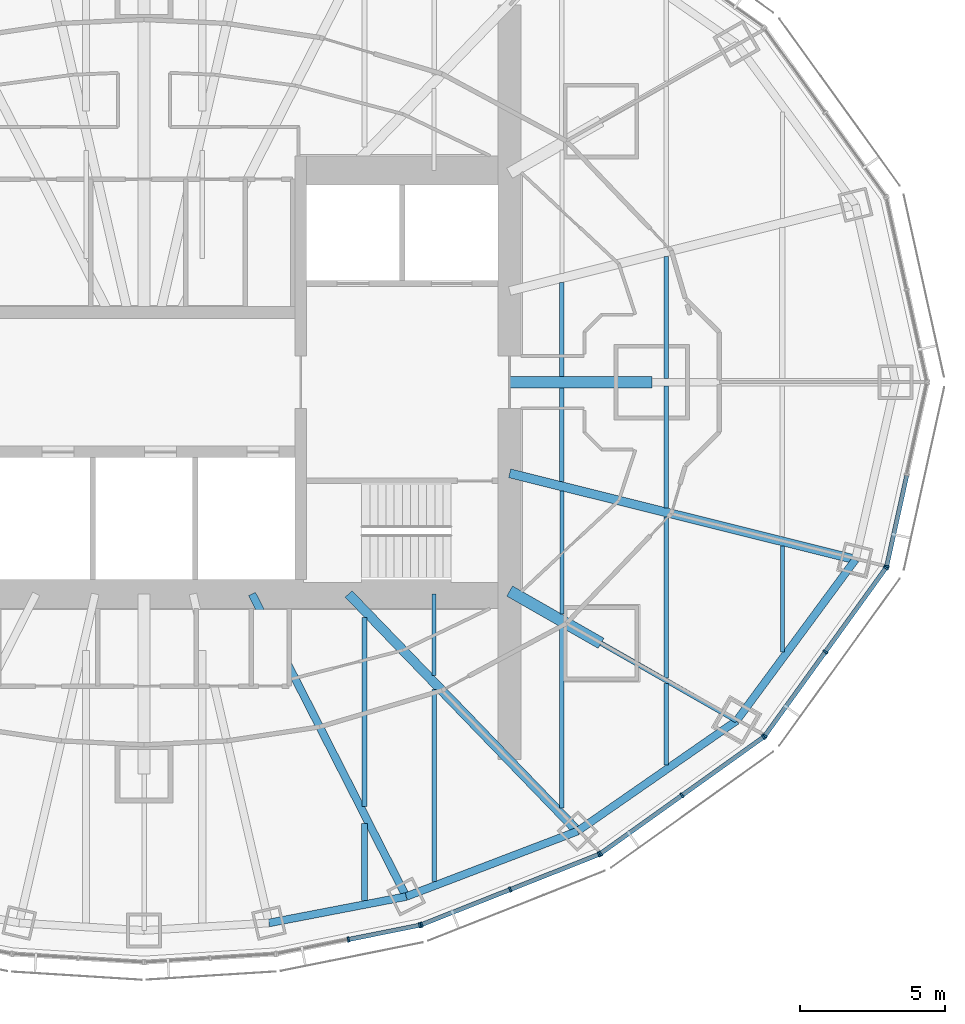
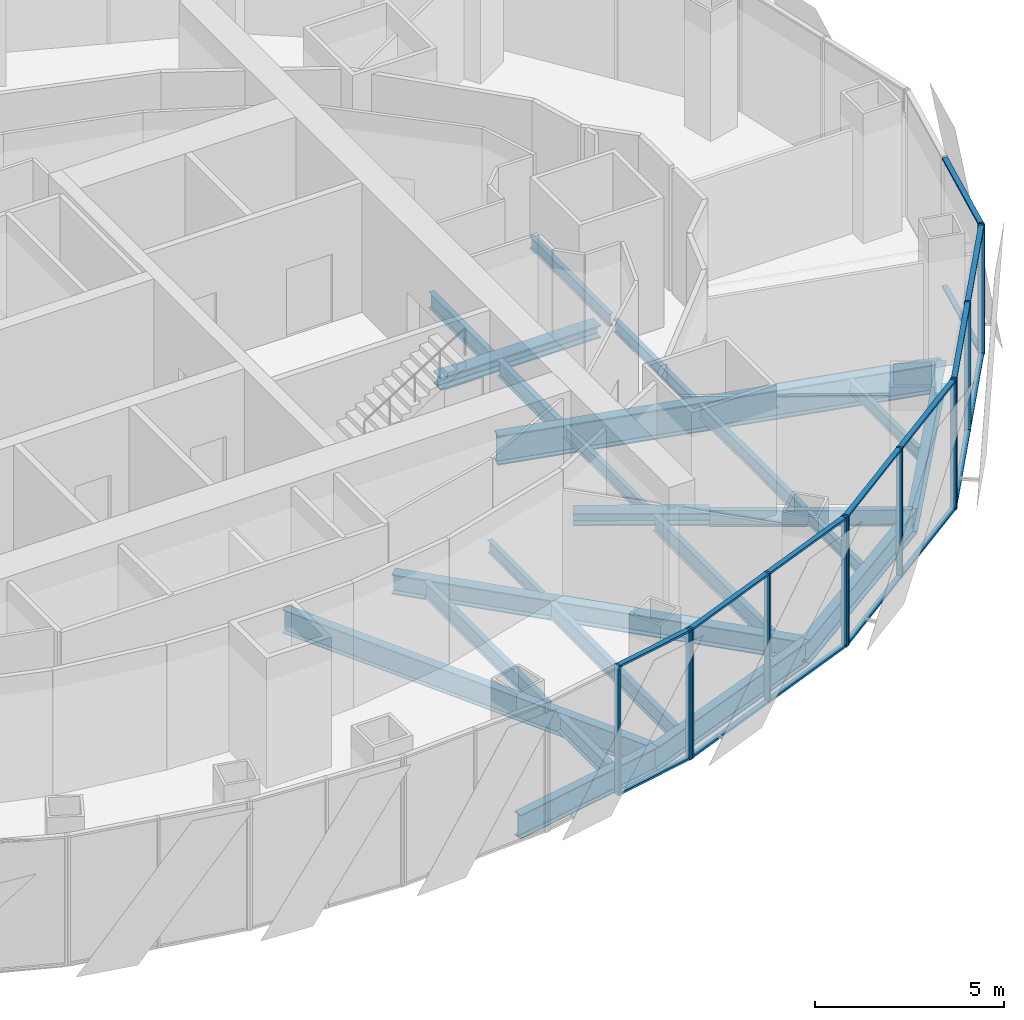
# One storey, part 6 of 17: 28 members, 23 beams, 5 elements without a shape of their own.
"""IFC4 building model written with IfcOpenShell, lengths in metres."""

from ifc_helpers import new_model, si_unit, direction, frame, origin, origin_2d, place, context, subcontext, project, spatial, rectangle, i_section, extrude, material, material_profile, profile_set, type_object, element, aggregate, save


model = new_model("IFC4")

# Units and contexts
model_context = context("Model", 3, precision=1e-05, world=origin(), true_north=direction((0.0, 1.0)))
body_context = subcontext(model_context, "Body", "Model", "MODEL_VIEW")
ifc_project = project(units=[si_unit("LENGTHUNIT", "METRE"), si_unit("AREAUNIT", "SQUARE_METRE"), si_unit("VOLUMEUNIT", "CUBIC_METRE"), si_unit("PLANEANGLEUNIT", "RADIAN"), si_unit("MASSUNIT", "GRAM", prefix="KILO")], contexts=[model_context])

# Site, building, storey
site_placement = place(None, origin())
site = spatial("IfcSite", under=ifc_project, at=site_placement, CompositionType="ELEMENT")
building_placement = place(site_placement, origin())
building = spatial("IfcBuilding", under=site, at=building_placement, Name="Lantaw Convention Tower", CompositionType="ELEMENT")
storey_placement = place(building_placement, frame((0.0, 0.0, 207.39990234375)))
storey = spatial("IfcBuildingStorey", under=building, at=storey_placement, Name="L48", CompositionType="ELEMENT", Elevation=207.39990234375)

# Beams
ifc_material_1 = material(Name="Steel ASTM A992", Category="steel")
ifc_material_profile_1 = material_profile(ifc_material_1, i_section(OverallWidth=0.2666015625, OverallDepth=0.76953125, WebThickness=0.015625, FlangeThickness=0.025390625, FilletRadius=0.0126953125, at=origin_2d()), Name="W30X132")
ifc_profile_set_1 = profile_set([ifc_material_profile_1], Name="Steel ASTM A992")
beam_type_1 = type_object("IfcBeamType", Name="Beam E W30X132", PredefinedType="SPANDREL", material=ifc_profile_set_1)
beam_1_placement = place(storey_placement, frame((4.303955078125, -18.64208984375, -0.53466796875), z_axis=(0.981972091702, 0.189025953556, 0.0), x_axis=(-0.189025953556, 0.981972091702, 0.0)))
element("IfcBeam", 1, at=beam_1_placement, inside=storey, type_object=beam_type_1, Name="Edge beam 20", PredefinedType="SPANDREL", context=body_context, shape_type="SweptSolid", body=[
    extrude(i_section(OverallWidth=0.2666015625, OverallDepth=0.76953125, WebThickness=0.015625, FlangeThickness=0.025390625, FilletRadius=0.0126953125, at=origin_2d()), origin(), (0.0, 0.0, 1.0), 4.817626953125),
])
beam_2_placement = place(storey_placement, frame((9.03466796875, -17.7314453125, -0.53466796875), z_axis=(0.934234988, 0.356658081637, 0.0), x_axis=(-0.356658081637, 0.934234988, 0.0)))
element("IfcBeam", 2, at=beam_2_placement, inside=storey, type_object=beam_type_1, Name="Edge beam 21", PredefinedType="SPANDREL", context=body_context, shape_type="SweptSolid", body=[
    extrude(i_section(OverallWidth=0.2666015625, OverallDepth=0.76953125, WebThickness=0.015625, FlangeThickness=0.025390625, FilletRadius=0.0126953125, at=origin_2d()), origin(), (0.0, 0.0, 1.0), 6.32568359375),
])
beam_3_placement = place(storey_placement, frame((14.9443359375, -15.475341796875, -0.53466796875), z_axis=(0.82135329406, 0.570419815869, 0.0), x_axis=(-0.570419815869, 0.82135329406, 0.0)))
element("IfcBeam", 3, at=beam_3_placement, inside=storey, type_object=beam_type_1, Name="Edge beam 22", PredefinedType="SPANDREL", context=body_context, shape_type="SweptSolid", body=[
    extrude(i_section(OverallWidth=0.2666015625, OverallDepth=0.76953125, WebThickness=0.015625, FlangeThickness=0.025390625, FilletRadius=0.0126953125, at=origin_2d()), origin(), (0.0, 0.0, 1.0), 6.67041015625),
])
beam_4_placement = place(storey_placement, frame((20.423095703125, -11.67041015625, -0.53466796875), z_axis=(0.593639188853, 0.804731329984, 0.0), x_axis=(-0.804731329984, 0.593639188853, 0.0)))
element("IfcBeam", 4, at=beam_4_placement, inside=storey, type_object=beam_type_1, Name="Edge beam 23", PredefinedType="SPANDREL", context=body_context, shape_type="SweptSolid", body=[
    extrude(i_section(OverallWidth=0.2666015625, OverallDepth=0.76953125, WebThickness=0.015625, FlangeThickness=0.025390625, FilletRadius=0.0126953125, at=origin_2d()), origin(), (0.0, 0.0, 1.0), 6.904541015625),
])
ifc_material_profile_2 = material_profile(ifc_material_1, i_section(OverallWidth=0.165771484375, OverallDepth=0.5283203125, WebThickness=0.009765625, FlangeThickness=0.013671875, FilletRadius=0.012939453125, at=origin_2d()), Name="W21X50")
ifc_profile_set_2 = profile_set([ifc_material_profile_2], Name="Steel ASTM A992")
beam_type_2 = type_object("IfcBeamType", Name="Beam G W21X50", PredefinedType="BEAM", material=ifc_profile_set_2)
beam_5_placement = place(storey_placement, frame((15.75, -9.0, -0.4140625), z_axis=(0.868237559289, -0.496148708192, 0.0), x_axis=(0.496148708192, 0.868237559289, 0.0)))
element("IfcBeam", 5, at=beam_5_placement, inside=storey, type_object=beam_type_2, Name="Floor girder on ray 23", PredefinedType="BEAM", context=body_context, shape_type="SweptSolid", body=[
    extrude(i_section(OverallWidth=0.165771484375, OverallDepth=0.5283203125, WebThickness=0.009765625, FlangeThickness=0.013671875, FilletRadius=0.012939453125, at=origin_2d()), origin(), (0.0, 0.0, 1.0), 5.38232421875),
])
ifc_material_profile_3 = material_profile(ifc_material_1, i_section(OverallWidth=0.32763671875, OverallDepth=0.64013671875, WebThickness=0.01904296875, FlangeThickness=0.033935546875, FilletRadius=0.0126953125, at=origin_2d()), Name="W24X176")
ifc_profile_set_3 = profile_set([ifc_material_profile_3], Name="Steel ASTM A992")
beam_type_3 = type_object("IfcBeamType", Name="Beam G W24X176", PredefinedType="BEAM", material=ifc_profile_set_3)
beam_6_placement = place(storey_placement, frame((7.049560546875, -7.300048828125, -0.469970703125), z_axis=(0.694657766726, -0.719340383356, 0.0), x_axis=(0.719340383356, 0.694657766726, 0.0)))
element("IfcBeam", 6, at=beam_6_placement, inside=storey, type_object=beam_type_3, Name="Floor girder on ray 22", PredefinedType="BEAM", context=body_context, shape_type="SweptSolid", body=[
    extrude(i_section(OverallWidth=0.32763671875, OverallDepth=0.64013671875, WebThickness=0.01904296875, FlangeThickness=0.033935546875, FilletRadius=0.0126953125, at=origin_2d()), origin(), (0.0, 0.0, 1.0), 11.364990234375),
])
ifc_material_profile_4 = material_profile(ifc_material_1, i_section(OverallWidth=0.2666015625, OverallDepth=0.7568359375, WebThickness=0.013916015625, FlangeThickness=0.019287109375, FilletRadius=0.0126953125, at=origin_2d()), Name="W30X108")
ifc_profile_set_4 = profile_set([ifc_material_profile_4], Name="Steel ASTM A992")
beam_type_4 = type_object("IfcBeamType", Name="Beam G W30X108", PredefinedType="BEAM", material=ifc_profile_set_4)
beam_7_placement = place(storey_placement, frame((3.719482421875, -7.300048828125, -0.5283203125), z_axis=(0.4539988787, -0.891002254845, 0.0), x_axis=(0.891002254845, 0.4539988787, 0.0)))
element("IfcBeam", 7, at=beam_7_placement, inside=storey, type_object=beam_type_4, Name="Floor girder on ray 21", PredefinedType="BEAM", context=body_context, shape_type="SweptSolid", body=[
    extrude(i_section(OverallWidth=0.2666015625, OverallDepth=0.7568359375, WebThickness=0.013916015625, FlangeThickness=0.019287109375, FilletRadius=0.0126953125, at=origin_2d()), origin(), (0.0, 0.0, 1.0), 11.70751953125),
])
ifc_material_profile_5 = material_profile(ifc_material_1, i_section(OverallWidth=0.307373046875, OverallDepth=0.9423828125, WebThickness=0.022216796875, FlangeThickness=0.039794921875, FilletRadius=0.0126953125, at=origin_2d()), Name="W36X232")
ifc_profile_set_5 = profile_set([ifc_material_profile_5], Name="Steel ASTM A992")
beam_type_5 = type_object("IfcBeamType", Name="Beam G W36X232", PredefinedType="BEAM", material=ifc_profile_set_5)
beam_8_placement = place(storey_placement, frame((12.60009765625, -3.1416015625, -0.62109375), z_axis=(0.970296589314, -0.241918434119, 0.0), x_axis=(0.241918434119, 0.970296589314, 0.0)))
element("IfcBeam", 8, at=beam_8_placement, inside=storey, type_object=beam_type_5, Name="Floor girder on ray 24", PredefinedType="BEAM", context=body_context, shape_type="SweptSolid", body=[
    extrude(i_section(OverallWidth=0.307373046875, OverallDepth=0.9423828125, WebThickness=0.022216796875, FlangeThickness=0.039794921875, FilletRadius=0.0126953125, at=origin_2d()), origin(), (0.0, 0.0, 1.0), 12.286865234375),
])
ifc_material_profile_6 = material_profile(ifc_material_1, i_section(OverallWidth=0.40380859375, OverallDepth=0.406494140625, WebThickness=0.027099609375, FlangeThickness=0.043701171875, FilletRadius=0.01513671875, at=origin_2d()), Name="W14X233")
ifc_profile_set_6 = profile_set([ifc_material_profile_6], Name="Steel ASTM A992")
beam_type_6 = type_object("IfcBeamType", Name="Beam GM W14X233", PredefinedType="BEAM", material=ifc_profile_set_6)
beam_9_placement = place(storey_placement, frame((12.60009765625, 0.0, -0.35302734375), z_axis=(1.0, 0.0, 0.0), x_axis=(0.0, 1.0, 0.0)))
element("IfcBeam", 9, at=beam_9_placement, inside=storey, type_object=beam_type_6, Name="Core link beam on ray 1", PredefinedType="BEAM", context=body_context, shape_type="SweptSolid", body=[
    extrude(i_section(OverallWidth=0.40380859375, OverallDepth=0.406494140625, WebThickness=0.027099609375, FlangeThickness=0.043701171875, FilletRadius=0.01513671875, at=origin_2d()), origin(), (0.0, 0.0, 1.0), 4.89990234375),
])
beam_10_placement = place(storey_placement, frame((12.60009765625, -7.199951171875, -0.35302734375), z_axis=(0.868230718294, -0.496160679428, 0.0), x_axis=(0.496160679428, 0.868230718294, 0.0)))
element("IfcBeam", 10, at=beam_10_placement, inside=storey, type_object=beam_type_6, Name="Core link beam on ray 23", PredefinedType="BEAM", context=body_context, shape_type="SweptSolid", body=[
    extrude(i_section(OverallWidth=0.40380859375, OverallDepth=0.406494140625, WebThickness=0.027099609375, FlangeThickness=0.043701171875, FilletRadius=0.01513671875, at=origin_2d()), origin(), (0.0, 0.0, 1.0), 3.6279296875),
])
ifc_material_profile_7 = material_profile(ifc_material_1, i_section(OverallWidth=0.140380859375, OverallDepth=0.40380859375, WebThickness=0.007080078125, FlangeThickness=0.01123046875, FilletRadius=0.01025390625, at=origin_2d()), Name="W16X31")
ifc_profile_set_7 = profile_set([ifc_material_profile_7], Name="Steel ASTM A992")
beam_type_7 = type_object("IfcBeamType", Name="Beam J W16X31", PredefinedType="JOIST", material=ifc_profile_set_7)
beam_11_placement = place(storey_placement, frame((10.0, -10.119384765625, -0.351806640625), z_axis=(0.0, 1.0, 0.0), x_axis=(-1.0, 0.0, 0.0)))
element("IfcBeam", 11, at=beam_11_placement, inside=storey, type_object=beam_type_7, Name="Floor joist", PredefinedType="JOIST", context=body_context, shape_type="SweptSolid", body=[
    extrude(i_section(OverallWidth=0.140380859375, OverallDepth=0.40380859375, WebThickness=0.007080078125, FlangeThickness=0.01123046875, FilletRadius=0.01025390625, at=origin_2d()), origin(), (0.0, 0.0, 1.0), 2.8193359375),
])
beam_12_placement = place(storey_placement, frame((14.39990234375, -7.99609375, -0.351806640625), z_axis=(0.0, 1.0, 0.0), x_axis=(-1.0, 0.0, 0.0)))
element("IfcBeam", 12, at=beam_12_placement, inside=storey, type_object=beam_type_7, Name="Floor joist", PredefinedType="JOIST", context=body_context, shape_type="SweptSolid", body=[
    extrude(i_section(OverallWidth=0.140380859375, OverallDepth=0.40380859375, WebThickness=0.007080078125, FlangeThickness=0.01123046875, FilletRadius=0.01025390625, at=origin_2d()), origin(), (0.0, 0.0, 1.0), 4.247314453125),
])
beam_13_placement = place(storey_placement, frame((18.0, -13.19091796875, -0.351806640625), z_axis=(0.0, 1.0, 0.0), x_axis=(-1.0, 0.0, 0.0)))
element("IfcBeam", 13, at=beam_13_placement, inside=storey, type_object=beam_type_7, Name="Floor joist", PredefinedType="JOIST", context=body_context, shape_type="SweptSolid", body=[
    extrude(i_section(OverallWidth=0.140380859375, OverallDepth=0.40380859375, WebThickness=0.007080078125, FlangeThickness=0.01123046875, FilletRadius=0.01025390625, at=origin_2d()), origin(), (0.0, 0.0, 1.0), 2.8095703125),
])
for number, where, z_axis, x_axis, name in (
    (14, (18.0, -4.32958984375, -0.351806640625), (0.0, 1.0, 0.0), (-1.0, 0.0, 0.0), "Floor joist"),
    (15, (18.0, 0.126953125, -0.351806640625), (0.0, 1.0, 0.0), (-1.0, 0.0, 0.0), "Floor joist"),
):
    element("IfcBeam", number, at=place(storey_placement, frame(where, z_axis=z_axis, x_axis=x_axis)), inside=storey, type_object=beam_type_7, Name=name, PredefinedType="JOIST", context=body_context, shape_type="SweptSolid", body=[
        extrude(i_section(OverallWidth=0.140380859375, OverallDepth=0.40380859375, WebThickness=0.007080078125, FlangeThickness=0.01123046875, FilletRadius=0.01025390625, at=origin_2d()), origin(), (0.0, 0.0, 1.0), 4.20263671875),
    ])
beam_14_placement = place(storey_placement, frame((22.0, -9.30810546875, -0.351806640625), z_axis=(0.0, 1.0, 0.0), x_axis=(-1.0, 0.0, 0.0)))
element("IfcBeam", 16, at=beam_14_placement, inside=storey, type_object=beam_type_7, Name="Floor joist", PredefinedType="JOIST", context=body_context, shape_type="SweptSolid", body=[
    extrude(i_section(OverallWidth=0.140380859375, OverallDepth=0.40380859375, WebThickness=0.007080078125, FlangeThickness=0.01123046875, FilletRadius=0.01025390625, at=origin_2d()), origin(), (0.0, 0.0, 1.0), 3.66455078125),
])
ifc_material_profile_8 = material_profile(ifc_material_1, i_section(OverallWidth=0.15234375, OverallDepth=0.449462890625, WebThickness=0.007568359375, FlangeThickness=0.0107421875, FilletRadius=0.01025390625, at=origin_2d()), Name="W18X35")
ifc_profile_set_8 = profile_set([ifc_material_profile_8], Name="Steel ASTM A992")
beam_type_8 = type_object("IfcBeamType", Name="Beam J W18X35", PredefinedType="JOIST", material=ifc_profile_set_8)
beam_15_placement = place(storey_placement, frame((18.0, -10.190185546875, -0.374755859375), z_axis=(0.0, 1.0, 0.0), x_axis=(-1.0, 0.0, 0.0)))
element("IfcBeam", 17, at=beam_15_placement, inside=storey, type_object=beam_type_8, Name="Floor joist", PredefinedType="JOIST", context=body_context, shape_type="SweptSolid", body=[
    extrude(i_section(OverallWidth=0.15234375, OverallDepth=0.449462890625, WebThickness=0.007568359375, FlangeThickness=0.0107421875, FilletRadius=0.01025390625, at=origin_2d()), origin(), (0.0, 0.0, 1.0), 5.5439453125),
])
ifc_material_profile_9 = material_profile(ifc_material_1, i_section(OverallWidth=0.1650390625, OverallDepth=0.52587890625, WebThickness=0.0087890625, FlangeThickness=0.011474609375, FilletRadius=0.0126953125, at=origin_2d()), Name="W21X44")
ifc_profile_set_9 = profile_set([ifc_material_profile_9], Name="Steel ASTM A992")
beam_type_9 = type_object("IfcBeamType", Name="Beam J W21X44", PredefinedType="JOIST", material=ifc_profile_set_9)
beam_16_placement = place(storey_placement, frame((7.60009765625, -14.6220703125, -0.412841796875), z_axis=(0.0, 1.0, 0.0), x_axis=(-1.0, 0.0, 0.0)))
element("IfcBeam", 18, at=beam_16_placement, inside=storey, type_object=beam_type_9, Name="Floor joist", PredefinedType="JOIST", context=body_context, shape_type="SweptSolid", body=[
    extrude(i_section(OverallWidth=0.1650390625, OverallDepth=0.52587890625, WebThickness=0.0087890625, FlangeThickness=0.011474609375, FilletRadius=0.0126953125, at=origin_2d()), origin(), (0.0, 0.0, 1.0), 6.51611328125),
])
beam_17_placement = place(storey_placement, frame((10.0, -17.22021484375, -0.412841796875), z_axis=(0.0, 1.0, 0.0), x_axis=(-1.0, 0.0, 0.0)))
element("IfcBeam", 19, at=beam_17_placement, inside=storey, type_object=beam_type_9, Name="Floor joist", PredefinedType="JOIST", context=body_context, shape_type="SweptSolid", body=[
    extrude(i_section(OverallWidth=0.1650390625, OverallDepth=0.52587890625, WebThickness=0.0087890625, FlangeThickness=0.011474609375, FilletRadius=0.0126953125, at=origin_2d()), origin(), (0.0, 0.0, 1.0), 6.629150390625),
])
beam_18_placement = place(storey_placement, frame((14.39990234375, -14.67578125, -0.412841796875), z_axis=(0.0, 1.0, 0.0), x_axis=(-1.0, 0.0, 0.0)))
element("IfcBeam", 20, at=beam_18_placement, inside=storey, type_object=beam_type_9, Name="Floor joist", PredefinedType="JOIST", context=body_context, shape_type="SweptSolid", body=[
    extrude(i_section(OverallWidth=0.1650390625, OverallDepth=0.52587890625, WebThickness=0.0087890625, FlangeThickness=0.011474609375, FilletRadius=0.0126953125, at=origin_2d()), origin(), (0.0, 0.0, 1.0), 6.214599609375),
])
for number, where, z_axis, x_axis, name in (
    (21, (14.39990234375, -3.431884765625, -0.412841796875), (0.0, 1.0, 0.0), (-1.0, 0.0, 0.0), "Floor joist"),
    (22, (14.39990234375, 0.201904296875, -0.412841796875), (0.0, 1.0, 0.0), (-1.0, 0.0, 0.0), "Floor joist"),
):
    element("IfcBeam", number, at=place(storey_placement, frame(where, z_axis=z_axis, x_axis=x_axis)), inside=storey, type_object=beam_type_9, Name=name, PredefinedType="JOIST", context=body_context, shape_type="SweptSolid", body=[
        extrude(i_section(OverallWidth=0.1650390625, OverallDepth=0.52587890625, WebThickness=0.0087890625, FlangeThickness=0.011474609375, FilletRadius=0.0126953125, at=origin_2d()), origin(), (0.0, 0.0, 1.0), 3.22998046875),
    ])
ifc_material_profile_10 = material_profile(ifc_material_1, i_section(OverallWidth=0.2099609375, OverallDepth=0.535888671875, WebThickness=0.010986328125, FlangeThickness=0.017333984375, FilletRadius=0.012939453125, at=origin_2d()), Name="W21X68")
ifc_profile_set_10 = profile_set([ifc_material_profile_10], Name="Steel ASTM A992")
beam_type_10 = type_object("IfcBeamType", Name="Beam J W21X68", PredefinedType="JOIST", material=ifc_profile_set_10)
beam_19_placement = place(storey_placement, frame((7.60009765625, -17.871826171875, -0.41796875), z_axis=(0.0, 1.0, 0.0), x_axis=(-1.0, 0.0, 0.0)))
element("IfcBeam", 23, at=beam_19_placement, inside=storey, type_object=beam_type_10, Name="Floor joist", PredefinedType="JOIST", context=body_context, shape_type="SweptSolid", body=[
    extrude(i_section(OverallWidth=0.2099609375, OverallDepth=0.535888671875, WebThickness=0.010986328125, FlangeThickness=0.017333984375, FilletRadius=0.012939453125, at=origin_2d()), origin(), (0.0, 0.0, 1.0), 2.662353515625),
])

# Curtain wall, members
ifc_material_2 = material(Name="Aluminium framed curtain wall", Category="aluminium")
curtain_wall_type = type_object("IfcCurtainWallType", Name="Office curtain wall high rise, pale aluminium", PredefinedType="USERDEFINED", material=ifc_material_2)
curtain_wall_1_placement = place(storey_placement, origin())
curtain_wall_1 = element("IfcCurtainWall", 24, at=curtain_wall_1_placement, inside=storey, type_object=curtain_wall_type, Name="Office curtain wall high rise, pale aluminium L48", ObjectType="UNITISED CURTAIN WALL", PredefinedType="USERDEFINED")
ifc_material_3 = material(Name="Aluminium 6063-T6", Category="aluminium")
ifc_material_profile_11 = material_profile(ifc_material_3, rectangle(XDim=0.179931640625, YDim=0.06494140625, at=origin_2d()), Name="CW-O2 mullion 65x180")
ifc_profile_set_11 = profile_set([ifc_material_profile_11], Name="Aluminium 6063-T6")
member_type_1 = type_object("IfcMemberType", Name="CW-O2 mullion 65x180", PredefinedType="MULLION", material=ifc_profile_set_11)
member_1_placement = place(storey_placement, frame((7.042724609375, -19.212646484375, -0.14990234375), z_axis=(0.0, 0.0, 1.0), x_axis=(-0.197183095987, 0.980366679695, 0.0)))
member_1 = element("IfcMember", 25, at=member_1_placement, type_object=member_type_1, Name="CW-O2 mullion 2", PredefinedType="MULLION", context=body_context, shape_type="SweptSolid", body=[
    extrude(rectangle(XDim=0.179931640625, YDim=0.06494140625, at=origin_2d()), origin(), (0.0, 0.0, 1.0), 4.199951171875),
])
member_2_placement = place(storey_placement, frame((9.502197265625, -18.718017578125, -0.14990234375), z_axis=(0.0, 0.0, 1.0), x_axis=(-0.197183095987, 0.980366679695, 0.0)))
member_2 = element("IfcMember", 26, at=member_2_placement, type_object=member_type_1, Name="CW-O2 mullion 3", PredefinedType="MULLION", context=body_context, shape_type="SweptSolid", body=[
    extrude(rectangle(XDim=0.179931640625, YDim=0.06494140625, at=origin_2d()), origin(), (0.0, 0.0, 1.0), 4.199951171875),
])

curtain_wall_2_placement = place(storey_placement, origin())
curtain_wall_2 = element("IfcCurtainWall", 27, at=curtain_wall_2_placement, inside=storey, type_object=curtain_wall_type, Name="Office curtain wall high rise, pale aluminium L48", ObjectType="UNITISED CURTAIN WALL", PredefinedType="USERDEFINED")
member_3_placement = place(storey_placement, frame((9.564208984375, -18.69970703125, -0.14990234375), z_axis=(0.0, 0.0, 1.0), x_axis=(-0.368162315252, 0.929761533743, 0.0)))
member_3 = element("IfcMember", 28, at=member_3_placement, type_object=member_type_1, Name="CW-O2 mullion 1", PredefinedType="MULLION", context=body_context, shape_type="SweptSolid", body=[
    extrude(rectangle(XDim=0.179931640625, YDim=0.06494140625, at=origin_2d()), origin(), (0.0, 0.0, 1.0), 4.199951171875),
])
member_4_placement = place(storey_placement, frame((12.621337890625, -17.4892578125, -0.14990234375), z_axis=(0.0, 0.0, 1.0), x_axis=(-0.368162315252, 0.929761533743, 0.0)))
member_4 = element("IfcMember", 29, at=member_4_placement, type_object=member_type_1, Name="CW-O2 mullion 2", PredefinedType="MULLION", context=body_context, shape_type="SweptSolid", body=[
    extrude(rectangle(XDim=0.179931640625, YDim=0.06494140625, at=origin_2d()), origin(), (0.0, 0.0, 1.0), 4.199951171875),
])
member_5_placement = place(storey_placement, frame((15.67822265625, -16.278564453125, -0.14990234375), z_axis=(0.0, 0.0, 1.0), x_axis=(-0.368162315252, 0.929761533743, 0.0)))
member_5 = element("IfcMember", 30, at=member_5_placement, type_object=member_type_1, Name="CW-O2 mullion 3", PredefinedType="MULLION", context=body_context, shape_type="SweptSolid", body=[
    extrude(rectangle(XDim=0.179931640625, YDim=0.06494140625, at=origin_2d()), origin(), (0.0, 0.0, 1.0), 4.199951171875),
])

curtain_wall_3_placement = place(storey_placement, origin())
curtain_wall_3 = element("IfcCurtainWall", 31, at=curtain_wall_3_placement, inside=storey, type_object=curtain_wall_type, Name="Office curtain wall high rise, pale aluminium L48", ObjectType="UNITISED CURTAIN WALL", PredefinedType="USERDEFINED")
member_6_placement = place(storey_placement, frame((15.73486328125, -16.247802734375, -0.14990234375), z_axis=(0.0, 0.0, 1.0), x_axis=(-0.581323487281, 0.813672540482, 0.0)))
member_6 = element("IfcMember", 32, at=member_6_placement, type_object=member_type_1, Name="CW-O2 mullion 1", PredefinedType="MULLION", context=body_context, shape_type="SweptSolid", body=[
    extrude(rectangle(XDim=0.179931640625, YDim=0.06494140625, at=origin_2d()), origin(), (0.0, 0.0, 1.0), 4.199951171875),
])
member_7_placement = place(storey_placement, frame((18.543212890625, -14.241455078125, -0.14990234375), z_axis=(0.0, 0.0, 1.0), x_axis=(-0.581323487281, 0.813672540482, 0.0)))
member_7 = element("IfcMember", 33, at=member_7_placement, type_object=member_type_1, Name="CW-O2 mullion 2", PredefinedType="MULLION", context=body_context, shape_type="SweptSolid", body=[
    extrude(rectangle(XDim=0.179931640625, YDim=0.06494140625, at=origin_2d()), origin(), (0.0, 0.0, 1.0), 4.199951171875),
])
member_8_placement = place(storey_placement, frame((21.3515625, -12.23486328125, -0.14990234375), z_axis=(0.0, 0.0, 1.0), x_axis=(-0.581323487281, 0.813672540482, 0.0)))
member_8 = element("IfcMember", 34, at=member_8_placement, type_object=member_type_1, Name="CW-O2 mullion 3", PredefinedType="MULLION", context=body_context, shape_type="SweptSolid", body=[
    extrude(rectangle(XDim=0.179931640625, YDim=0.06494140625, at=origin_2d()), origin(), (0.0, 0.0, 1.0), 4.199951171875),
])

curtain_wall_4_placement = place(storey_placement, origin())
curtain_wall_4 = element("IfcCurtainWall", 35, at=curtain_wall_4_placement, inside=storey, type_object=curtain_wall_type, Name="Office curtain wall high rise, pale aluminium L48", ObjectType="UNITISED CURTAIN WALL", PredefinedType="USERDEFINED")
member_9_placement = place(storey_placement, frame((21.397216796875, -12.189697265625, -0.14990234375), z_axis=(0.0, 0.0, 1.0), x_axis=(-0.810919559405, 0.585157643865, 0.0)))
member_9 = element("IfcMember", 36, at=member_9_placement, type_object=member_type_1, Name="CW-O2 mullion 1", PredefinedType="MULLION", context=body_context, shape_type="SweptSolid", body=[
    extrude(rectangle(XDim=0.179931640625, YDim=0.06494140625, at=origin_2d()), origin(), (0.0, 0.0, 1.0), 4.199951171875),
])
member_10_placement = place(storey_placement, frame((23.483642578125, -9.298095703125, -0.14990234375), z_axis=(0.0, 0.0, 1.0), x_axis=(-0.810919559405, 0.585157643865, 0.0)))
member_10 = element("IfcMember", 37, at=member_10_placement, type_object=member_type_1, Name="CW-O2 mullion 2", PredefinedType="MULLION", context=body_context, shape_type="SweptSolid", body=[
    extrude(rectangle(XDim=0.179931640625, YDim=0.06494140625, at=origin_2d()), origin(), (0.0, 0.0, 1.0), 4.199951171875),
])
member_11_placement = place(storey_placement, frame((25.5703125, -6.406494140625, -0.14990234375), z_axis=(0.0, 0.0, 1.0), x_axis=(-0.810919559405, 0.585157643865, 0.0)))
member_11 = element("IfcMember", 38, at=member_11_placement, type_object=member_type_1, Name="CW-O2 mullion 3", PredefinedType="MULLION", context=body_context, shape_type="SweptSolid", body=[
    extrude(rectangle(XDim=0.179931640625, YDim=0.06494140625, at=origin_2d()), origin(), (0.0, 0.0, 1.0), 4.199951171875),
])

# Curtain wall, member
curtain_wall_5_placement = place(storey_placement, origin())
curtain_wall_5 = element("IfcCurtainWall", 39, at=curtain_wall_5_placement, inside=storey, type_object=curtain_wall_type, Name="Office curtain wall high rise, pale aluminium L48", ObjectType="UNITISED CURTAIN WALL", PredefinedType="USERDEFINED")
member_12_placement = place(storey_placement, frame((25.596435546875, -6.348388671875, -0.14990234375), z_axis=(0.0, 0.0, 1.0), x_axis=(-0.976417396437, 0.215891333626, 0.0)))
member_12 = element("IfcMember", 40, at=member_12_placement, type_object=member_type_1, Name="CW-O2 mullion 1", PredefinedType="MULLION", context=body_context, shape_type="SweptSolid", body=[
    extrude(rectangle(XDim=0.179931640625, YDim=0.06494140625, at=origin_2d()), origin(), (0.0, 0.0, 1.0), 4.199951171875),
])

# Member
ifc_material_profile_12 = material_profile(ifc_material_3, rectangle(XDim=0.14990234375, YDim=0.06494140625, at=origin_2d()), Name="CW-O2 transom 65x150")
ifc_profile_set_12 = profile_set([ifc_material_profile_12], Name="Aluminium 6063-T6")
member_type_2 = type_object("IfcMemberType", Name="CW-O2 transom 65x150", PredefinedType="USERDEFINED", material=ifc_profile_set_12)
member_13_placement = place(storey_placement, frame((7.074462890625, -19.206298828125, -0.117431640625), z_axis=(0.98036104319, 0.197211117829, 0.0), x_axis=(-0.197211117829, 0.98036104319, 0.0)))
member_13 = element("IfcMember", 41, at=member_13_placement, type_object=member_type_2, Name="CW-O2 transom 2.1", ObjectType="TRANSOM", PredefinedType="USERDEFINED", context=body_context, shape_type="SweptSolid", body=[
    extrude(rectangle(XDim=0.14990234375, YDim=0.06494140625, at=origin_2d()), origin(), (0.0, 0.0, 1.0), 2.44384765625),
])

member_14_placement = place(storey_placement, frame((7.074462890625, -19.206298828125, 4.017578125), z_axis=(0.98036104319, 0.197211117829, 0.0), x_axis=(-0.197211117829, 0.98036104319, 0.0)))
member_14 = element("IfcMember", 42, at=member_14_placement, type_object=member_type_2, Name="CW-O2 transom 2.2", ObjectType="TRANSOM", PredefinedType="USERDEFINED", context=body_context, shape_type="SweptSolid", body=[
    extrude(rectangle(XDim=0.14990234375, YDim=0.06494140625, at=origin_2d()), origin(), (0.0, 0.0, 1.0), 2.44384765625),
])

aggregate(curtain_wall_1, [member_1, member_2, member_13, member_14])

member_15_placement = place(storey_placement, frame((9.594482421875, -18.687744140625, -0.117431640625), z_axis=(0.929766642946, 0.368149412149, 0.0), x_axis=(-0.368149412149, 0.929766642946, 0.0)))
member_15 = element("IfcMember", 43, at=member_15_placement, type_object=member_type_2, Name="CW-O2 transom 1.1", ObjectType="TRANSOM", PredefinedType="USERDEFINED", context=body_context, shape_type="SweptSolid", body=[
    extrude(rectangle(XDim=0.14990234375, YDim=0.06494140625, at=origin_2d()), origin(), (0.0, 0.0, 1.0), 3.222900390625),
])

member_16_placement = place(storey_placement, frame((9.594482421875, -18.687744140625, 4.017578125), z_axis=(0.929766642946, 0.368149412149, 0.0), x_axis=(-0.368149412149, 0.929766642946, 0.0)))
member_16 = element("IfcMember", 44, at=member_16_placement, type_object=member_type_2, Name="CW-O2 transom 1.2", ObjectType="TRANSOM", PredefinedType="USERDEFINED", context=body_context, shape_type="SweptSolid", body=[
    extrude(rectangle(XDim=0.14990234375, YDim=0.06494140625, at=origin_2d()), origin(), (0.0, 0.0, 1.0), 3.222900390625),
])

member_17_placement = place(storey_placement, frame((12.651611328125, -17.477294921875, -0.117431640625), z_axis=(0.929740712354, 0.368214893495, 0.0), x_axis=(-0.368214893495, 0.929740712354, 0.0)))
member_17 = element("IfcMember", 45, at=member_17_placement, type_object=member_type_2, Name="CW-O2 transom 2.1", ObjectType="TRANSOM", PredefinedType="USERDEFINED", context=body_context, shape_type="SweptSolid", body=[
    extrude(rectangle(XDim=0.14990234375, YDim=0.06494140625, at=origin_2d()), origin(), (0.0, 0.0, 1.0), 3.22314453125),
])

member_18_placement = place(storey_placement, frame((12.651611328125, -17.477294921875, 4.017578125), z_axis=(0.929740712354, 0.368214893495, 0.0), x_axis=(-0.368214893495, 0.929740712354, 0.0)))
member_18 = element("IfcMember", 46, at=member_18_placement, type_object=member_type_2, Name="CW-O2 transom 2.2", ObjectType="TRANSOM", PredefinedType="USERDEFINED", context=body_context, shape_type="SweptSolid", body=[
    extrude(rectangle(XDim=0.14990234375, YDim=0.06494140625, at=origin_2d()), origin(), (0.0, 0.0, 1.0), 3.22314453125),
])

aggregate(curtain_wall_2, [member_3, member_4, member_5, member_15, member_16, member_17, member_18])

member_19_placement = place(storey_placement, frame((15.761474609375, -16.22900390625, -0.117431640625), z_axis=(0.813645780821, 0.581360940683, 0.0), x_axis=(-0.581360940683, 0.813645780821, 0.0)))
member_19 = element("IfcMember", 47, at=member_19_placement, type_object=member_type_2, Name="CW-O2 transom 1.1", ObjectType="TRANSOM", PredefinedType="USERDEFINED", context=body_context, shape_type="SweptSolid", body=[
    extrude(rectangle(XDim=0.14990234375, YDim=0.06494140625, at=origin_2d()), origin(), (0.0, 0.0, 1.0), 3.386474609375),
])

member_20_placement = place(storey_placement, frame((15.761474609375, -16.22900390625, 4.017578125), z_axis=(0.813645780821, 0.581360940683, 0.0), x_axis=(-0.581360940683, 0.813645780821, 0.0)))
member_20 = element("IfcMember", 48, at=member_20_placement, type_object=member_type_2, Name="CW-O2 transom 1.2", ObjectType="TRANSOM", PredefinedType="USERDEFINED", context=body_context, shape_type="SweptSolid", body=[
    extrude(rectangle(XDim=0.14990234375, YDim=0.06494140625, at=origin_2d()), origin(), (0.0, 0.0, 1.0), 3.386474609375),
])

member_21_placement = place(storey_placement, frame((18.56982421875, -14.222412109375, -0.117431640625), z_axis=(0.813679882592, 0.581313210468, 0.0), x_axis=(-0.581313210468, 0.813679882592, 0.0)))
member_21 = element("IfcMember", 49, at=member_21_placement, type_object=member_type_2, Name="CW-O2 transom 2.1", ObjectType="TRANSOM", PredefinedType="USERDEFINED", context=body_context, shape_type="SweptSolid", body=[
    extrude(rectangle(XDim=0.14990234375, YDim=0.06494140625, at=origin_2d()), origin(), (0.0, 0.0, 1.0), 3.38623046875),
])

member_22_placement = place(storey_placement, frame((18.56982421875, -14.222412109375, 4.017578125), z_axis=(0.813679882592, 0.581313210468, 0.0), x_axis=(-0.581313210468, 0.813679882592, 0.0)))
member_22 = element("IfcMember", 50, at=member_22_placement, type_object=member_type_2, Name="CW-O2 transom 2.2", ObjectType="TRANSOM", PredefinedType="USERDEFINED", context=body_context, shape_type="SweptSolid", body=[
    extrude(rectangle(XDim=0.14990234375, YDim=0.06494140625, at=origin_2d()), origin(), (0.0, 0.0, 1.0), 3.38623046875),
])

aggregate(curtain_wall_3, [member_6, member_7, member_8, member_19, member_20, member_21, member_22])

member_23_placement = place(storey_placement, frame((21.416259765625, -12.163330078125, -0.117431640625), z_axis=(0.585123825205, 0.810943961798, 0.0), x_axis=(-0.810943961798, 0.585123825205, 0.0)))
member_23 = element("IfcMember", 51, at=member_23_placement, type_object=member_type_2, Name="CW-O2 transom 1.1", ObjectType="TRANSOM", PredefinedType="USERDEFINED", context=body_context, shape_type="SweptSolid", body=[
    extrude(rectangle(XDim=0.14990234375, YDim=0.06494140625, at=origin_2d()), origin(), (0.0, 0.0, 1.0), 3.500732421875),
])

member_24_placement = place(storey_placement, frame((21.416259765625, -12.163330078125, 4.017578125), z_axis=(0.585123825205, 0.810943961798, 0.0), x_axis=(-0.810943961798, 0.585123825205, 0.0)))
member_24 = element("IfcMember", 52, at=member_24_placement, type_object=member_type_2, Name="CW-O2 transom 1.2", ObjectType="TRANSOM", PredefinedType="USERDEFINED", context=body_context, shape_type="SweptSolid", body=[
    extrude(rectangle(XDim=0.14990234375, YDim=0.06494140625, at=origin_2d()), origin(), (0.0, 0.0, 1.0), 3.500732421875),
])

member_25_placement = place(storey_placement, frame((23.502685546875, -9.271728515625, -0.117431640625), z_axis=(0.585169685931, 0.810910869743, 0.0), x_axis=(-0.810910869743, 0.585169685931, 0.0)))
member_25 = element("IfcMember", 53, at=member_25_placement, type_object=member_type_2, Name="CW-O2 transom 2.1", ObjectType="TRANSOM", PredefinedType="USERDEFINED", context=body_context, shape_type="SweptSolid", body=[
    extrude(rectangle(XDim=0.14990234375, YDim=0.06494140625, at=origin_2d()), origin(), (0.0, 0.0, 1.0), 3.500732421875),
])

member_26_placement = place(storey_placement, frame((23.502685546875, -9.271728515625, 4.017578125), z_axis=(0.585169685931, 0.810910869743, 0.0), x_axis=(-0.810910869743, 0.585169685931, 0.0)))
member_26 = element("IfcMember", 54, at=member_26_placement, type_object=member_type_2, Name="CW-O2 transom 2.2", ObjectType="TRANSOM", PredefinedType="USERDEFINED", context=body_context, shape_type="SweptSolid", body=[
    extrude(rectangle(XDim=0.14990234375, YDim=0.06494140625, at=origin_2d()), origin(), (0.0, 0.0, 1.0), 3.500732421875),
])

aggregate(curtain_wall_4, [member_9, member_10, member_11, member_23, member_24, member_25, member_26])

member_27_placement = place(storey_placement, frame((25.603271484375, -6.316650390625, -0.117431640625), z_axis=(0.215894607042, 0.976416672661, 0.0), x_axis=(-0.976416672661, 0.215894607042, 0.0)))
member_27 = element("IfcMember", 55, at=member_27_placement, type_object=member_type_2, Name="CW-O2 transom 1.1", ObjectType="TRANSOM", PredefinedType="USERDEFINED", context=body_context, shape_type="SweptSolid", body=[
    extrude(rectangle(XDim=0.14990234375, YDim=0.06494140625, at=origin_2d()), origin(), (0.0, 0.0, 1.0), 3.169677734375),
])

member_28_placement = place(storey_placement, frame((25.603271484375, -6.316650390625, 4.017578125), z_axis=(0.215894607042, 0.976416672661, 0.0), x_axis=(-0.976416672661, 0.215894607042, 0.0)))
member_28 = element("IfcMember", 56, at=member_28_placement, type_object=member_type_2, Name="CW-O2 transom 1.2", ObjectType="TRANSOM", PredefinedType="USERDEFINED", context=body_context, shape_type="SweptSolid", body=[
    extrude(rectangle(XDim=0.14990234375, YDim=0.06494140625, at=origin_2d()), origin(), (0.0, 0.0, 1.0), 3.169677734375),
])

aggregate(curtain_wall_5, [member_12, member_27, member_28])

save(model, "model.ifc")
